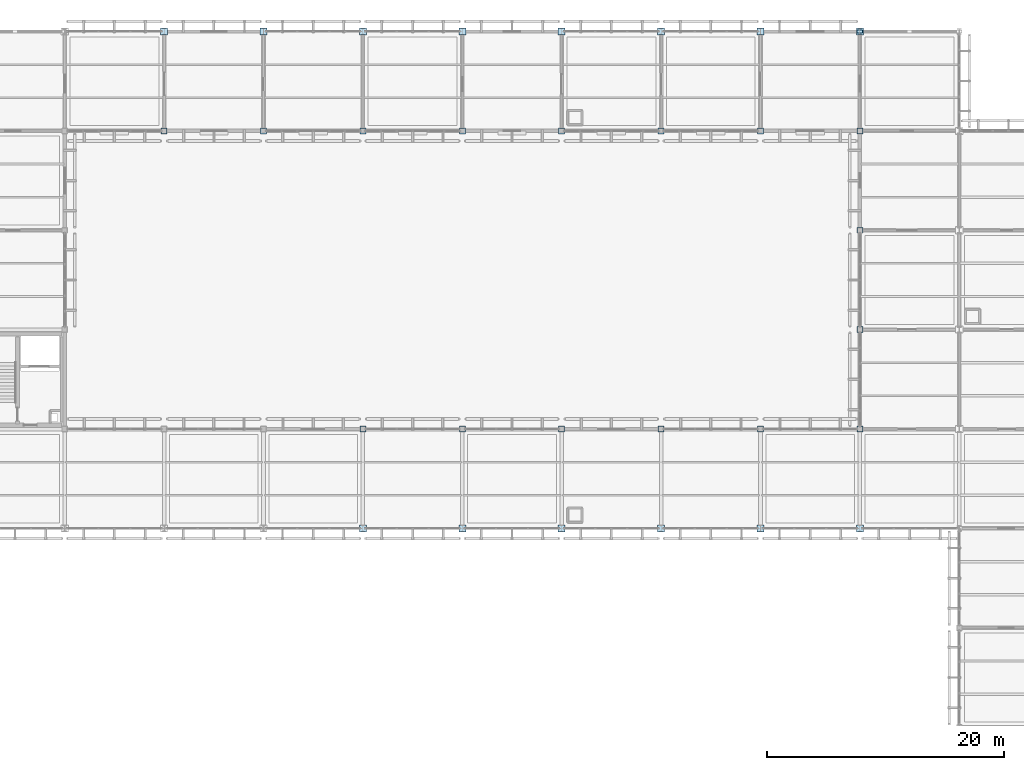
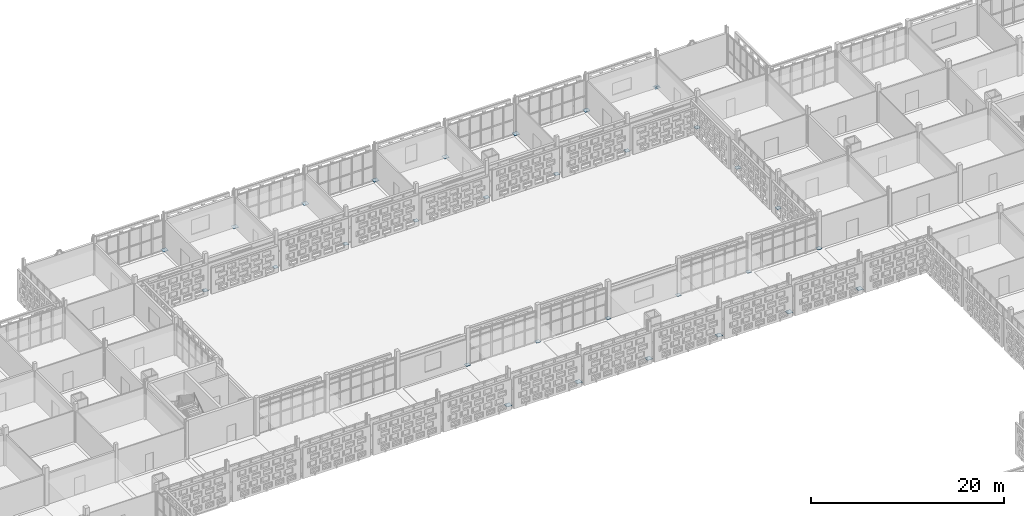
# One storey, part 110 of 203: 31 plates.
"""IFC4 building model written with IfcOpenShell, lengths in metres."""

from ifc_helpers import new_model, si_unit, direction, frame, origin, origin_2d, place, context, subcontext, project, spatial, rectangle, extrude, material, layer, layer_set, type_object, element, save


model = new_model("IFC4")

# Units and contexts
model_context = context("Model", 3, precision=1e-05, world=origin(), true_north=direction((0.0, 1.0)))
body_context = subcontext(model_context, "Body", "Model", "MODEL_VIEW")
ifc_project = project(units=[si_unit("LENGTHUNIT", "METRE"), si_unit("AREAUNIT", "SQUARE_METRE"), si_unit("VOLUMEUNIT", "CUBIC_METRE"), si_unit("PLANEANGLEUNIT", "RADIAN"), si_unit("MASSUNIT", "GRAM", prefix="KILO")], contexts=[model_context])

# Site, building, storey
site_placement = place(None, origin())
site = spatial("IfcSite", under=ifc_project, at=site_placement, CompositionType="ELEMENT")
building_placement = place(site_placement, origin())
building = spatial("IfcBuilding", under=site, at=building_placement, Name="Varnapada Polytechnic", CompositionType="ELEMENT")
storey_placement = place(building_placement, frame((0.0, 0.0, 4.800048828125)))
storey = spatial("IfcBuildingStorey", under=building, at=storey_placement, Name="L01", CompositionType="ELEMENT", Elevation=4.800048828125)

# Plates
ifc_material = material(Name="Steel S355", Category="steel")
ifc_layer_1 = layer(ifc_material, 0.034912109375)
ifc_layer_set_1 = layer_set([ifc_layer_1], Name="Steel S355")
plate_type_1 = type_object("IfcPlateType", Name="Plate BP-01", PredefinedType="SHEET", material=ifc_layer_set_1)
for number, where, z_axis, x_axis, name in (
    (1, (67.199951171875, 126.0, 0.0), (0.0, 0.0, 1.0), (1.0, 0.0, 0.0), "Column base shoe plate BP-01 at 9/16"),
    (2, (75.60009765625, 126.0, 0.0), (0.0, 0.0, 1.0), (1.0, 0.0, 0.0), "Column base shoe plate BP-01 at 10/16"),
    (3, (84.0, 84.0, 0.0), (0.0, 0.0, 1.0), (1.0, 0.0, 0.0), "Column base shoe plate BP-01 at 11/11"),
    (4, (84.0, 126.0, 0.0), (0.0, 0.0, 1.0), (1.0, 0.0, 0.0), "Column base shoe plate BP-01 at 11/16"),
    (5, (92.39990234375, 84.0, 0.0), (0.0, 0.0, 1.0), (1.0, 0.0, 0.0), "Column base shoe plate BP-01 at 12/11"),
    (6, (92.39990234375, 126.0, 0.0), (0.0, 0.0, 1.0), (1.0, 0.0, 0.0), "Column base shoe plate BP-01 at 12/16"),
    (7, (100.800048828125, 84.0, 0.0), (0.0, 0.0, 1.0), (1.0, 0.0, 0.0), "Column base shoe plate BP-01 at 13/11"),
    (8, (100.800048828125, 126.0, 0.0), (0.0, 0.0, 1.0), (1.0, 0.0, 0.0), "Column base shoe plate BP-01 at 13/16"),
    (9, (109.199951171875, 84.0, 0.0), (0.0, 0.0, 1.0), (1.0, 0.0, 0.0), "Column base shoe plate BP-01 at 14/11"),
    (10, (109.199951171875, 126.0, 0.0), (0.0, 0.0, 1.0), (1.0, 0.0, 0.0), "Column base shoe plate BP-01 at 14/16"),
    (11, (117.60009765625, 84.0, 0.0), (0.0, 0.0, 1.0), (1.0, 0.0, 0.0), "Column base shoe plate BP-01 at 15/11"),
    (12, (117.60009765625, 126.0, 0.0), (0.0, 0.0, 1.0), (1.0, 0.0, 0.0), "Column base shoe plate BP-01 at 15/16"),
    (13, (126.0, 84.0, 0.0), (0.0, 0.0, 1.0), (1.0, 0.0, 0.0), "Column base shoe plate BP-01 at 16/11"),
    (14, (126.0, 126.0, 0.0), (0.0, 0.0, 1.0), (1.0, 0.0, 0.0), "Column base shoe plate BP-01 at 16/16"),
):
    element("IfcPlate", number, at=place(storey_placement, frame(where, z_axis=z_axis, x_axis=x_axis)), inside=storey, type_object=plate_type_1, Name=name, PredefinedType="SHEET", context=body_context, shape_type="SweptSolid", body=[
        extrude(rectangle(XDim=0.60009765625, YDim=0.60009765625, at=origin_2d()), origin(), (0.0, 0.0, 1.0), 0.034912109375),
    ])
ifc_layer_2 = layer(ifc_material, 0.030029296875)
ifc_layer_set_2 = layer_set([ifc_layer_2], Name="Steel S355")
plate_type_2 = type_object("IfcPlateType", Name="Plate BP-02", PredefinedType="SHEET", material=ifc_layer_set_2)
for number, where, z_axis, x_axis, name in (
    (15, (67.199951171875, 117.60009765625, 0.0), (0.0, 0.0, 1.0), (1.0, 0.0, 0.0), "Column base shoe plate BP-02 at 9/15"),
    (16, (75.60009765625, 117.60009765625, 0.0), (0.0, 0.0, 1.0), (1.0, 0.0, 0.0), "Column base shoe plate BP-02 at 10/15"),
    (17, (84.0, 92.39990234375, 0.0), (0.0, 0.0, 1.0), (1.0, 0.0, 0.0), "Column base shoe plate BP-02 at 11/12"),
    (18, (84.0, 117.60009765625, 0.0), (0.0, 0.0, 1.0), (1.0, 0.0, 0.0), "Column base shoe plate BP-02 at 11/15"),
    (19, (92.39990234375, 92.39990234375, 0.0), (0.0, 0.0, 1.0), (1.0, 0.0, 0.0), "Column base shoe plate BP-02 at 12/12"),
    (20, (92.39990234375, 117.60009765625, 0.0), (0.0, 0.0, 1.0), (1.0, 0.0, 0.0), "Column base shoe plate BP-02 at 12/15"),
    (21, (100.800048828125, 92.39990234375, 0.0), (0.0, 0.0, 1.0), (1.0, 0.0, 0.0), "Column base shoe plate BP-02 at 13/12"),
    (22, (100.800048828125, 117.60009765625, 0.0), (0.0, 0.0, 1.0), (1.0, 0.0, 0.0), "Column base shoe plate BP-02 at 13/15"),
    (23, (109.199951171875, 92.39990234375, 0.0), (0.0, 0.0, 1.0), (1.0, 0.0, 0.0), "Column base shoe plate BP-02 at 14/12"),
    (24, (109.199951171875, 117.60009765625, 0.0), (0.0, 0.0, 1.0), (1.0, 0.0, 0.0), "Column base shoe plate BP-02 at 14/15"),
    (25, (117.60009765625, 92.39990234375, 0.0), (0.0, 0.0, 1.0), (1.0, 0.0, 0.0), "Column base shoe plate BP-02 at 15/12"),
    (26, (117.60009765625, 117.60009765625, 0.0), (0.0, 0.0, 1.0), (1.0, 0.0, 0.0), "Column base shoe plate BP-02 at 15/15"),
    (27, (126.0, 92.39990234375, 0.0), (0.0, 0.0, 1.0), (1.0, 0.0, 0.0), "Column base shoe plate BP-02 at 16/12"),
    (28, (126.0, 100.800048828125, 0.0), (0.0, 0.0, 1.0), (1.0, 0.0, 0.0), "Column base shoe plate BP-02 at 16/13"),
    (29, (126.0, 109.199951171875, 0.0), (0.0, 0.0, 1.0), (1.0, 0.0, 0.0), "Column base shoe plate BP-02 at 16/14"),
    (30, (126.0, 117.60009765625, 0.0), (0.0, 0.0, 1.0), (1.0, 0.0, 0.0), "Column base shoe plate BP-02 at 16/15"),
):
    element("IfcPlate", number, at=place(storey_placement, frame(where, z_axis=z_axis, x_axis=x_axis)), inside=storey, type_object=plate_type_2, Name=name, PredefinedType="SHEET", context=body_context, shape_type="SweptSolid", body=[
        extrude(rectangle(XDim=0.5, YDim=0.5, at=origin_2d()), origin(), (0.0, 0.0, 1.0), 0.030029296875),
    ])
ifc_layer_3 = layer(ifc_material, 0.02001953125)
ifc_layer_set_3 = layer_set([ifc_layer_3], Name="Steel S355")
plate_type_3 = type_object("IfcPlateType", Name="Plate BP-03", PredefinedType="SHEET", material=ifc_layer_set_3)
plate_placement = place(storey_placement, frame((126.0, 126.0, 0.1298828125), z_axis=(0.0, 0.0, 1.0), x_axis=(1.0, 0.0, 0.0)))
element("IfcPlate", 31, at=plate_placement, inside=storey, type_object=plate_type_3, Name="L01 chevron brace base gusset plate 4L", PredefinedType="SHEET", context=body_context, shape_type="SweptSolid", body=[
    extrude(rectangle(XDim=0.449951171875, YDim=0.280029296875, at=origin_2d()), origin(), (0.0, 0.0, 1.0), 0.02001953125),
])

save(model, "model.ifc")
